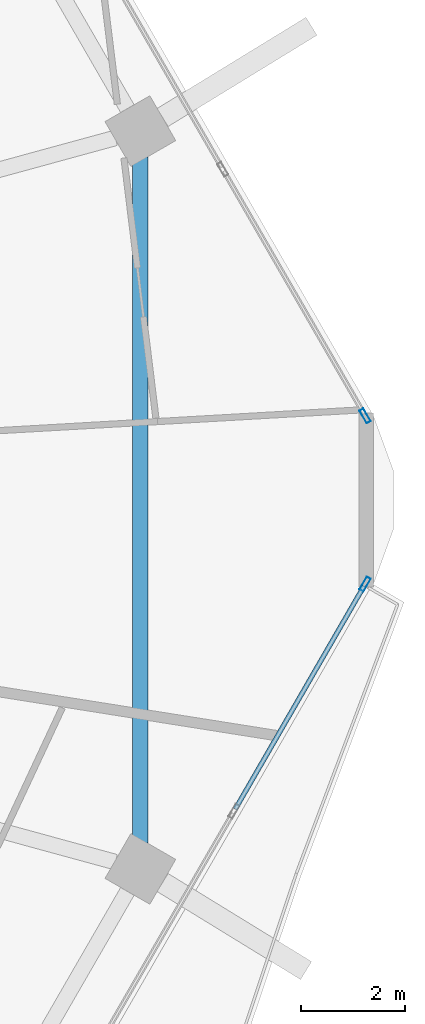
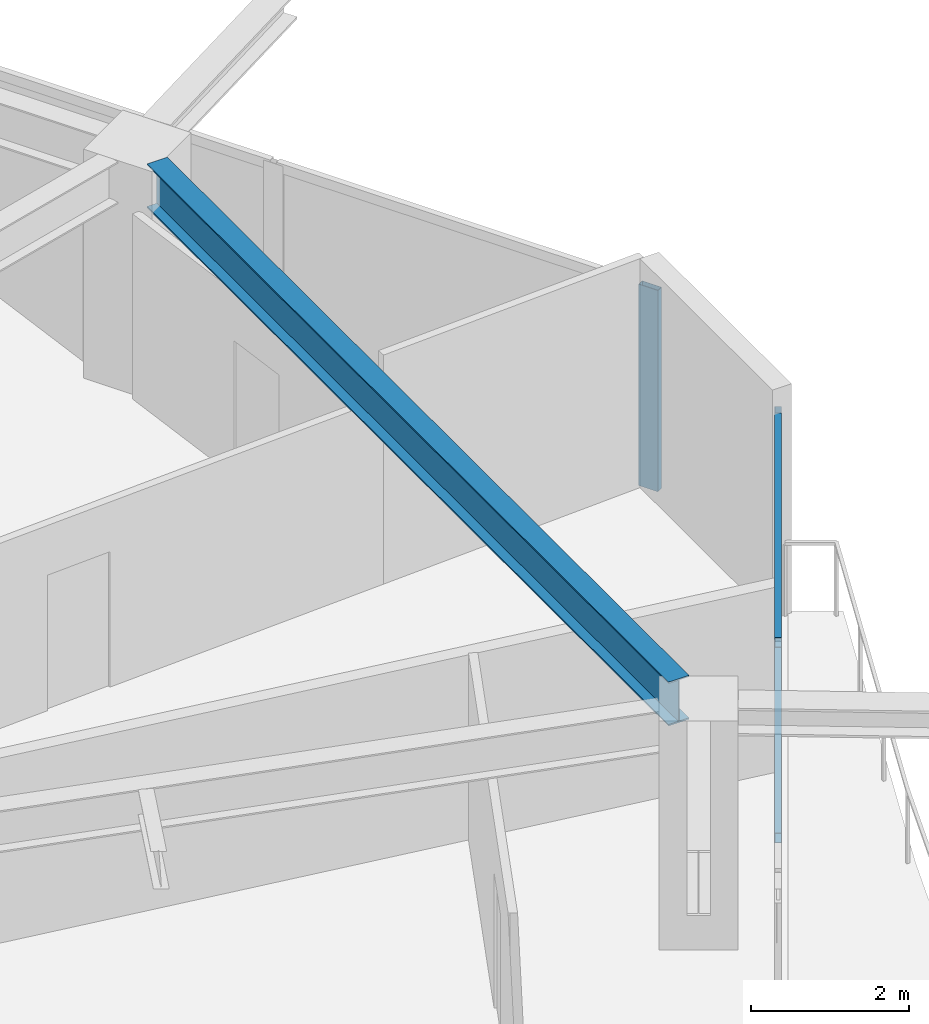
# One storey, part 9 of 26: 4 members, 1 beam, 2 elements without a shape of their own.
"""IFC4 building model written with IfcOpenShell, lengths in metres."""

from ifc_helpers import new_model, si_unit, direction, frame, origin, origin_2d, place, context, subcontext, project, spatial, hollow_rectangle, i_section, extrude, material, material_profile, profile_set, type_object, element, aggregate, save


model = new_model("IFC4")

# Units and contexts
model_context = context("Model", 3, precision=1e-05, world=origin(), true_north=direction((0.0, 1.0)))
body_context = subcontext(model_context, "Body", "Model", "MODEL_VIEW")
ifc_project = project(units=[si_unit("LENGTHUNIT", "METRE"), si_unit("AREAUNIT", "SQUARE_METRE"), si_unit("VOLUMEUNIT", "CUBIC_METRE"), si_unit("PLANEANGLEUNIT", "RADIAN"), si_unit("MASSUNIT", "GRAM", prefix="KILO")], contexts=[model_context])

# Site, building, storey
site_placement = place(None, origin())
site = spatial("IfcSite", under=ifc_project, at=site_placement, CompositionType="ELEMENT")
building_placement = place(site_placement, origin())
building = spatial("IfcBuilding", under=site, at=building_placement, Name="Zuhravey Tower", CompositionType="ELEMENT")
storey_placement = place(building_placement, frame((0.0, 0.0, 165.60009765625)))
storey = spatial("IfcBuildingStorey", under=building, at=storey_placement, Name="L41", CompositionType="ELEMENT", Elevation=165.60009765625)

# Curtain wall, member
ifc_material_1 = material(Name="Thermally broken anodised aluminium", Category="aluminium")
curtain_wall_type = type_object("IfcCurtainWallType", Name="Zone 1-2 Residential Curtain Wall CW3", PredefinedType="NOTDEFINED", material=ifc_material_1)
curtain_wall_1_placement = place(storey_placement, origin())
curtain_wall_1 = element("IfcCurtainWall", 1, at=curtain_wall_1_placement, inside=storey, type_object=curtain_wall_type, Name="L41 CW3 CW-L41-F6-1", PredefinedType="NOTDEFINED")
ifc_material_2 = material(Name="Anodised aluminium", Category="aluminium")
ifc_material_profile_1 = material_profile(ifc_material_2, hollow_rectangle(XDim=0.090087890625, YDim=0.284912109375, WallThickness=0.0048828125, at=origin_2d()), Name="ALU-RHS-90x285x5")
ifc_profile_set_1 = profile_set([ifc_material_profile_1], Name="Anodised aluminium")
member_type_1 = type_object("IfcMemberType", Name="Curtain-Wall Mullion 90x180", PredefinedType="MULLION", material=ifc_profile_set_1)
member_1_placement = place(storey_placement, frame((66.44921875, 30.37353515625, 0.0), z_axis=(0.0, 0.0, 1.0), x_axis=(0.866025433822, -0.499999947974, 0.0)))
member_1 = element("IfcMember", 2, at=member_1_placement, type_object=member_type_1, Name="CW3 mullion 1", PredefinedType="MULLION", context=body_context, shape_type="SweptSolid", body=[
    extrude(hollow_rectangle(XDim=0.090087890625, YDim=0.284912109375, WallThickness=0.0048828125, at=origin_2d()), origin(), (0.0, 0.0, 1.0), 3.121826171875),
])

curtain_wall_2_placement = place(storey_placement, origin())
curtain_wall_2 = element("IfcCurtainWall", 3, at=curtain_wall_2_placement, inside=storey, type_object=curtain_wall_type, Name="L41 CW3 CW-L41-F1-1", PredefinedType="NOTDEFINED")
member_2_placement = place(storey_placement, frame((66.44921875, 33.62646484375, 0.0), z_axis=(0.0, 0.0, 1.0), x_axis=(0.866025138215, 0.500000459979, 0.0)))
member_2 = element("IfcMember", 4, at=member_2_placement, type_object=member_type_1, Name="CW3 mullion 6", PredefinedType="MULLION", context=body_context, shape_type="SweptSolid", body=[
    extrude(hollow_rectangle(XDim=0.090087890625, YDim=0.284912109375, WallThickness=0.0048828125, at=origin_2d()), origin(), (0.0, 0.0, 1.0), 3.121826171875),
])
aggregate(curtain_wall_2, [member_2])

# Member
ifc_material_profile_2 = material_profile(ifc_material_2, hollow_rectangle(XDim=0.090087890625, YDim=0.14990234375, WallThickness=0.0048828125, at=origin_2d()), Name="ALU-RHS-90x150x5")
ifc_profile_set_2 = profile_set([ifc_material_profile_2], Name="Anodised aluminium")
member_type_2 = type_object("IfcMemberType", Name="Curtain-Wall Transom 90x150", PredefinedType="USERDEFINED", material=ifc_profile_set_2)
member_3_placement = place(storey_placement, frame((66.4267578125, 30.33447265625, 0.044921875), z_axis=(-0.49999297576, -0.866029459193, 0.0), x_axis=(0.866029459193, -0.49999297576, 0.0)))
member_3 = element("IfcMember", 5, at=member_3_placement, type_object=member_type_2, Name="CW3 transom 1.1", ObjectType="TRANSOM", PredefinedType="USERDEFINED", context=body_context, shape_type="SweptSolid", body=[
    extrude(hollow_rectangle(XDim=0.090087890625, YDim=0.14990234375, WallThickness=0.0048828125, at=origin_2d()), origin(), (0.0, 0.0, 1.0), 4.9736328125),
])

member_4_placement = place(storey_placement, frame((66.4267578125, 30.33447265625, 3.076904296875), z_axis=(-0.49999297576, -0.866029459193, 0.0), x_axis=(0.866029459193, -0.49999297576, 0.0)))
member_4 = element("IfcMember", 6, at=member_4_placement, type_object=member_type_2, Name="CW3 transom 1.2", ObjectType="TRANSOM", PredefinedType="USERDEFINED", context=body_context, shape_type="SweptSolid", body=[
    extrude(hollow_rectangle(XDim=0.090087890625, YDim=0.14990234375, WallThickness=0.0048828125, at=origin_2d()), origin(), (0.0, 0.0, 1.0), 4.9736328125),
])

aggregate(curtain_wall_1, [member_1, member_3, member_4])

# Beam
ifc_material_3 = material(Name="Steel SM355", Category="steel")
ifc_material_profile_3 = material_profile(ifc_material_3, i_section(OverallWidth=0.300048828125, OverallDepth=0.679931640625, WebThickness=0.012939453125, FlangeThickness=0.02197265625, at=origin_2d()), Name="H-680x300x13x22")
ifc_profile_set_3 = profile_set([ifc_material_profile_3], Name="Steel SM355")
beam_type = type_object("IfcBeamType", Name="Perimeter Ring Beam H680x300", PredefinedType="BEAM", material=ifc_profile_set_3)
beam_placement = place(storey_placement, frame((62.107666015625, 25.37646484375, 3.2099609375), z_axis=(0.0, 1.0, 0.0), x_axis=(-1.0, 0.0, 0.0)))
element("IfcBeam", 7, at=beam_placement, inside=storey, type_object=beam_type, Name="L41 PB2 BM-L41-PB-12", PredefinedType="BEAM", context=body_context, shape_type="SweptSolid", body=[
    extrude(i_section(OverallWidth=0.300048828125, OverallDepth=0.679931640625, WebThickness=0.012939453125, FlangeThickness=0.02197265625, at=origin_2d()), origin(), (0.0, 0.0, 1.0), 13.2470703125),
])

save(model, "model.ifc")
